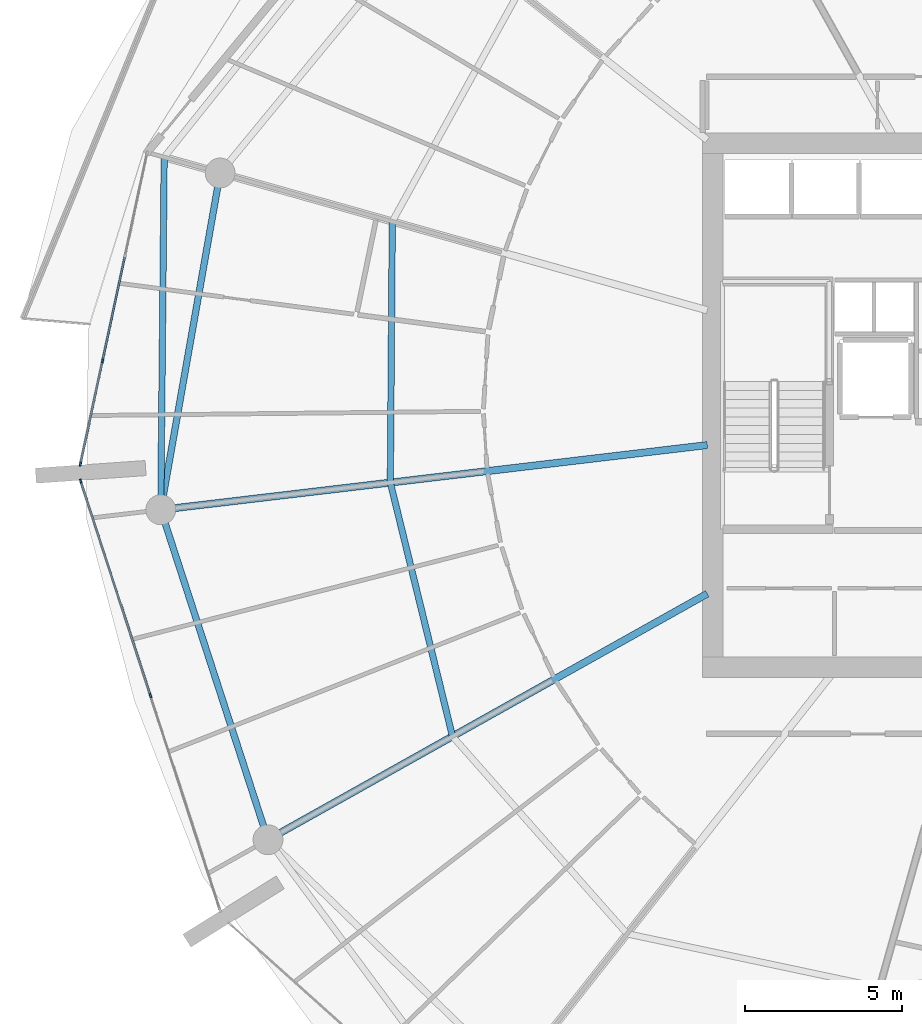
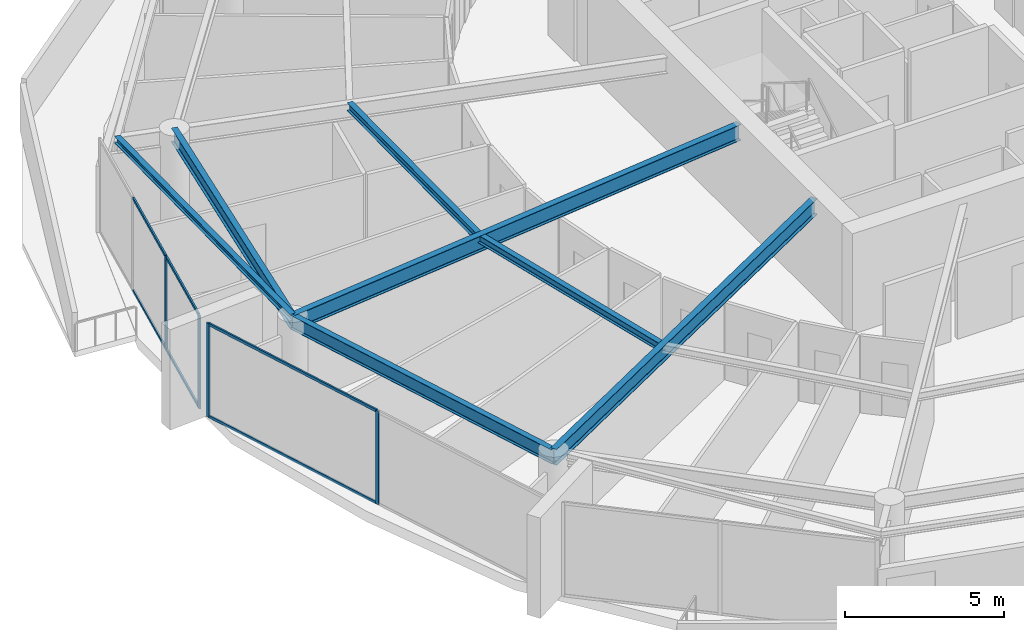
# One storey, part 8 of 30: 10 members, 7 beams, 2 elements without a shape of their own.
"""IFC4 building model written with IfcOpenShell, lengths in metres."""

from ifc_helpers import new_model, si_unit, direction, frame, origin, origin_2d, place, context, subcontext, project, spatial, rectangle, i_section, extrude, material, layer, layer_set, material_profile, profile_set, type_object, element, aggregate, save


model = new_model("IFC4")

# Units and contexts
model_context = context("Model", 3, precision=1e-05, world=origin(), true_north=direction((0.0, 1.0)))
body_context = subcontext(model_context, "Body", "Model", "MODEL_VIEW")
ifc_project = project(units=[si_unit("LENGTHUNIT", "METRE"), si_unit("AREAUNIT", "SQUARE_METRE"), si_unit("VOLUMEUNIT", "CUBIC_METRE"), si_unit("PLANEANGLEUNIT", "RADIAN"), si_unit("MASSUNIT", "GRAM", prefix="KILO")], contexts=[model_context])

# Site, building, storey
site_placement = place(None, origin())
site = spatial("IfcSite", under=ifc_project, at=site_placement, CompositionType="ELEMENT")
building_placement = place(site_placement, origin())
building = spatial("IfcBuilding", under=site, at=building_placement, Name="Kazma Halo Residences", CompositionType="ELEMENT")
storey_placement = place(building_placement, frame((0.0, 0.0, 236.699951171875)))
storey = spatial("IfcBuildingStorey", under=building, at=storey_placement, Name="L59", CompositionType="ELEMENT", Elevation=236.699951171875)

# Beams
ifc_material_1 = material(Name="Steel S355", Category="steel")
ifc_material_profile_1 = material_profile(ifc_material_1, i_section(OverallWidth=0.201904296875, OverallDepth=0.2470703125, WebThickness=0.00732421875, FlangeThickness=0.010986328125, FilletRadius=0.011962890625, at=origin_2d()), Name="W250x49.1")
ifc_profile_set_1 = profile_set([ifc_material_profile_1], Name="Steel S355")
beam_type_1 = type_object("IfcBeamType", Name="BM-BAL-CANT", PredefinedType="BEAM", material=ifc_profile_set_1)
beam_1_placement = place(storey_placement, frame((20.028564453125, 49.888916015625, 3.466552734375), z_axis=(-0.009645503464, -0.999953481049, 0.0), x_axis=(0.999953481049, -0.009645503464, 0.0)))
element("IfcBeam", 1, at=beam_1_placement, inside=storey, type_object=beam_type_1, Name="L59 wave-balcony tie beam 07", PredefinedType="BEAM", context=body_context, shape_type="SweptSolid", body=[
    extrude(i_section(OverallWidth=0.201904296875, OverallDepth=0.2470703125, WebThickness=0.00732421875, FlangeThickness=0.010986328125, FilletRadius=0.011962890625, at=origin_2d()), origin(), (0.0, 0.0, 1.0), 11.212890625),
])
ifc_material_profile_2 = material_profile(ifc_material_1, i_section(OverallWidth=0.22802734375, OverallDepth=0.60791015625, WebThickness=0.01123046875, FlangeThickness=0.017333984375, FilletRadius=0.01806640625, at=origin_2d()), Name="W610x113")
ifc_profile_set_2 = profile_set([ifc_material_profile_2], Name="Steel S355")
beam_type_2 = type_object("IfcBeamType", Name="BM-RAD-W610", PredefinedType="BEAM", material=ifc_profile_set_2)
beam_2_placement = place(storey_placement, frame((37.300048828125, 40.733642578125, 3.2861328125), z_axis=(-0.993067702517, -0.117543771495, 0.0), x_axis=(0.117543771495, -0.993067702517, 0.0)))
element("IfcBeam", 2, at=beam_2_placement, inside=storey, type_object=beam_type_2, Name="L59 radial floor beam 08", PredefinedType="BEAM", context=body_context, shape_type="SweptSolid", body=[
    extrude(i_section(OverallWidth=0.22802734375, OverallDepth=0.60791015625, WebThickness=0.01123046875, FlangeThickness=0.017333984375, FilletRadius=0.01806640625, at=origin_2d()), origin(), (0.0, 0.0, 1.0), 17.5009765625),
])
beam_3_placement = place(storey_placement, frame((37.300048828125, 36.0078125, 3.2861328125), z_axis=(-0.872498735757, -0.488616369049, 0.0), x_axis=(0.488616369049, -0.872498735757, 0.0)))
element("IfcBeam", 3, at=beam_3_placement, inside=storey, type_object=beam_type_2, Name="L59 radial floor beam 09", PredefinedType="BEAM", context=body_context, shape_type="SweptSolid", body=[
    extrude(i_section(OverallWidth=0.22802734375, OverallDepth=0.60791015625, WebThickness=0.01123046875, FlangeThickness=0.017333984375, FilletRadius=0.01806640625, at=origin_2d()), origin(), (0.0, 0.0, 1.0), 16.011962890625),
])
ifc_material_profile_3 = material_profile(ifc_material_1, i_section(OverallWidth=0.202880859375, OverallDepth=0.302978515625, WebThickness=0.007568359375, FlangeThickness=0.01318359375, FilletRadius=0.013916015625, at=origin_2d()), Name="W310x60")
ifc_profile_set_3 = profile_set([ifc_material_profile_3], Name="Steel S355")
beam_type_3 = type_object("IfcBeamType", Name="BM-SEC-W310A", PredefinedType="JOIST", material=ifc_profile_set_3)
beam_4_placement = place(storey_placement, frame((27.282470703125, 47.843017578125, 3.4384765625), z_axis=(-0.007527648623, -0.999971666852, 0.0), x_axis=(0.999971666852, -0.007527648623, 0.0)))
element("IfcBeam", 4, at=beam_4_placement, inside=storey, type_object=beam_type_3, Name="L59 circumferential floor joist 07", PredefinedType="JOIST", context=body_context, shape_type="SweptSolid", body=[
    extrude(i_section(OverallWidth=0.202880859375, OverallDepth=0.302978515625, WebThickness=0.007568359375, FlangeThickness=0.01318359375, FilletRadius=0.013916015625, at=origin_2d()), origin(), (0.0, 0.0, 1.0), 8.302734375),
])
beam_5_placement = place(storey_placement, frame((27.219970703125, 39.54052734375, 3.4384765625), z_axis=(0.237963200266, -0.971274171035, 0.0), x_axis=(0.971274171035, 0.237963200266, 0.0)))
element("IfcBeam", 5, at=beam_5_placement, inside=storey, type_object=beam_type_3, Name="L59 circumferential floor joist 08", PredefinedType="JOIST", context=body_context, shape_type="SweptSolid", body=[
    extrude(i_section(OverallWidth=0.202880859375, OverallDepth=0.302978515625, WebThickness=0.007568359375, FlangeThickness=0.01318359375, FilletRadius=0.013916015625, at=origin_2d()), origin(), (0.0, 0.0, 1.0), 8.309326171875),
])
ifc_material_profile_4 = material_profile(ifc_material_1, i_section(OverallWidth=0.208984375, OverallDepth=0.532958984375, WebThickness=0.01025390625, FlangeThickness=0.015625, FilletRadius=0.01611328125, at=origin_2d()), Name="W530x92")
ifc_profile_set_4 = profile_set([ifc_material_profile_4], Name="Steel S355")
beam_type_4 = type_object("IfcBeamType", Name="BM-SPN-W530", PredefinedType="BEAM", material=ifc_profile_set_4)
beam_6_placement = place(storey_placement, frame((21.80908203125, 49.38671875, 3.323486328125), z_axis=(-0.173663672311, -0.984805020763, 0.0), x_axis=(0.984805020763, -0.173663672311, 0.0)))
element("IfcBeam", 6, at=beam_6_placement, inside=storey, type_object=beam_type_4, Name="L59 perimeter ring beam 07", PredefinedType="BEAM", context=body_context, shape_type="SweptSolid", body=[
    extrude(i_section(OverallWidth=0.208984375, OverallDepth=0.532958984375, WebThickness=0.01025390625, FlangeThickness=0.015625, FilletRadius=0.01611328125, at=origin_2d()), origin(), (0.0, 0.0, 1.0), 10.87548828125),
])
beam_7_placement = place(storey_placement, frame((19.92041015625, 38.676513671875, 3.323486328125), z_axis=(0.309015517474, -0.951056996168, 0.0), x_axis=(0.951056996168, 0.309015517474, 0.0)))
element("IfcBeam", 7, at=beam_7_placement, inside=storey, type_object=beam_type_4, Name="L59 perimeter ring beam 08", PredefinedType="BEAM", context=body_context, shape_type="SweptSolid", body=[
    extrude(i_section(OverallWidth=0.208984375, OverallDepth=0.532958984375, WebThickness=0.01025390625, FlangeThickness=0.015625, FilletRadius=0.01611328125, at=origin_2d()), origin(), (0.0, 0.0, 1.0), 11.032470703125),
])

# Curtain wall, members
ifc_material_2 = material(Name="Aluminium AW-6063 T6 and Triple-Silver Low-E Glass", Category="aluminium")
ifc_layer = layer(ifc_material_2, 0.139892578125)
ifc_layer_set = layer_set([ifc_layer], Name="Aluminium AW-6063 T6 and Triple-Silver Low-E Glass")
curtain_wall_type = type_object("IfcCurtainWallType", Name="CW-SYS-5", PredefinedType="NOTDEFINED", material=ifc_layer_set)
curtain_wall_1_placement = place(storey_placement, origin())
curtain_wall_1 = element("IfcCurtainWall", 8, at=curtain_wall_1_placement, inside=storey, type_object=curtain_wall_type, Name="L59 unitised curtain wall B07", PredefinedType="NOTDEFINED")
ifc_material_3 = material(Name="Aluminium AW-6063 T6", Category="aluminium")
ifc_material_profile_5 = material_profile(ifc_material_3, rectangle(XDim=0.06005859375, YDim=0.139892578125, at=origin_2d()), Name="CWM-60x140")
ifc_profile_set_5 = profile_set([ifc_material_profile_5], Name="Aluminium AW-6063 T6")
member_type_1 = type_object("IfcMemberType", Name="CW-SYS-5-MUL", PredefinedType="MULLION", material=ifc_profile_set_5)
member_1_placement = place(storey_placement, frame((18.0703125, 43.412841796875, 0.0), z_axis=(0.0, 0.0, 1.0), x_axis=(0.97777491373, -0.209657382603, 0.0)))
member_1 = element("IfcMember", 9, at=member_1_placement, type_object=member_type_1, Name="CWS-5 mullion 3", PredefinedType="MULLION", context=body_context, shape_type="SweptSolid", body=[
    extrude(rectangle(XDim=0.06005859375, YDim=0.139892578125, at=origin_2d()), origin(), (0.0, 0.0, 1.0), 3.590087890625),
])
member_2_placement = place(storey_placement, frame((17.3662109375, 40.12841796875, 0.0), z_axis=(0.0, 0.0, 1.0), x_axis=(0.97777491373, -0.209657382603, 0.0)))
member_2 = element("IfcMember", 10, at=member_2_placement, type_object=member_type_1, Name="CWS-5 mullion 4", PredefinedType="MULLION", context=body_context, shape_type="SweptSolid", body=[
    extrude(rectangle(XDim=0.06005859375, YDim=0.139892578125, at=origin_2d()), origin(), (0.0, 0.0, 1.0), 3.590087890625),
])

curtain_wall_2_placement = place(storey_placement, origin())
curtain_wall_2 = element("IfcCurtainWall", 11, at=curtain_wall_2_placement, inside=storey, type_object=curtain_wall_type, Name="L59 unitised curtain wall B08", PredefinedType="NOTDEFINED")
member_3_placement = place(storey_placement, frame((17.377197265625, 39.587646484375, 0.0), z_axis=(0.0, 0.0, 1.0), x_axis=(0.951058464359, 0.309010998786, 0.0)))
member_3 = element("IfcMember", 12, at=member_3_placement, type_object=member_type_1, Name="CWS-5 mullion 1", PredefinedType="MULLION", context=body_context, shape_type="SweptSolid", body=[
    extrude(rectangle(XDim=0.06005859375, YDim=0.139892578125, at=origin_2d()), origin(), (0.0, 0.0, 1.0), 3.590087890625),
])
member_4_placement = place(storey_placement, frame((19.59228515625, 32.769775390625, 0.0), z_axis=(0.0, 0.0, 1.0), x_axis=(0.951058464359, 0.309010998786, 0.0)))
member_4 = element("IfcMember", 13, at=member_4_placement, type_object=member_type_1, Name="CWS-5 mullion 2", PredefinedType="MULLION", context=body_context, shape_type="SweptSolid", body=[
    extrude(rectangle(XDim=0.06005859375, YDim=0.139892578125, at=origin_2d()), origin(), (0.0, 0.0, 1.0), 3.590087890625),
])

# Member
ifc_material_profile_6 = material_profile(ifc_material_3, rectangle(XDim=0.06005859375, YDim=0.10498046875, at=origin_2d()), Name="CWT-60x105")
ifc_profile_set_6 = profile_set([ifc_material_profile_6], Name="Aluminium AW-6063 T6")
member_type_2 = type_object("IfcMemberType", Name="CW-SYS-5-TRN", PredefinedType="USERDEFINED", material=ifc_profile_set_6)
member_5_placement = place(storey_placement, frame((18.774658203125, 46.697265625, 0.030029296875), z_axis=(-0.209664309019, -0.977773428522, 0.0), x_axis=(0.977773428522, -0.209664309019, 0.0)))
member_5 = element("IfcMember", 14, at=member_5_placement, type_object=member_type_2, Name="CWS-5 transom 2.1", ObjectType="TRANSOM", PredefinedType="USERDEFINED", context=body_context, shape_type="SweptSolid", body=[
    extrude(rectangle(XDim=0.06005859375, YDim=0.10498046875, at=origin_2d()), origin(), (0.0, 0.0, 1.0), 3.3291015625),
])

member_6_placement = place(storey_placement, frame((18.774658203125, 46.697265625, 3.56005859375), z_axis=(-0.209664309019, -0.977773428522, 0.0), x_axis=(0.977773428522, -0.209664309019, 0.0)))
member_6 = element("IfcMember", 15, at=member_6_placement, type_object=member_type_2, Name="CWS-5 transom 2.2", ObjectType="TRANSOM", PredefinedType="USERDEFINED", context=body_context, shape_type="SweptSolid", body=[
    extrude(rectangle(XDim=0.06005859375, YDim=0.10498046875, at=origin_2d()), origin(), (0.0, 0.0, 1.0), 3.3291015625),
])

member_7_placement = place(storey_placement, frame((18.064208984375, 43.383544921875, 0.030029296875), z_axis=(-0.209645323239, -0.977777499457, 0.0), x_axis=(0.977777499457, -0.209645323239, 0.0)))
member_7 = element("IfcMember", 16, at=member_7_placement, type_object=member_type_2, Name="CWS-5 transom 3.1", ObjectType="TRANSOM", PredefinedType="USERDEFINED", context=body_context, shape_type="SweptSolid", body=[
    extrude(rectangle(XDim=0.06005859375, YDim=0.10498046875, at=origin_2d()), origin(), (0.0, 0.0, 1.0), 3.299072265625),
])

member_8_placement = place(storey_placement, frame((18.064208984375, 43.383544921875, 3.56005859375), z_axis=(-0.209645323239, -0.977777499457, 0.0), x_axis=(0.977777499457, -0.209645323239, 0.0)))
member_8 = element("IfcMember", 17, at=member_8_placement, type_object=member_type_2, Name="CWS-5 transom 3.2", ObjectType="TRANSOM", PredefinedType="USERDEFINED", context=body_context, shape_type="SweptSolid", body=[
    extrude(rectangle(XDim=0.06005859375, YDim=0.10498046875, at=origin_2d()), origin(), (0.0, 0.0, 1.0), 3.299072265625),
])

aggregate(curtain_wall_1, [member_1, member_2, member_5, member_6, member_7, member_8])

member_9_placement = place(storey_placement, frame((17.386474609375, 39.55908203125, 0.030029296875), z_axis=(0.308995987448, -0.951063341603, 0.0), x_axis=(0.951063341603, 0.308995987448, 0.0)))
member_9 = element("IfcMember", 18, at=member_9_placement, type_object=member_type_2, Name="CWS-5 transom 1.1", ObjectType="TRANSOM", PredefinedType="USERDEFINED", context=body_context, shape_type="SweptSolid", body=[
    extrude(rectangle(XDim=0.06005859375, YDim=0.10498046875, at=origin_2d()), origin(), (0.0, 0.0, 1.0), 7.108642578125),
])

member_10_placement = place(storey_placement, frame((17.386474609375, 39.55908203125, 3.56005859375), z_axis=(0.308995987448, -0.951063341603, 0.0), x_axis=(0.951063341603, 0.308995987448, 0.0)))
member_10 = element("IfcMember", 19, at=member_10_placement, type_object=member_type_2, Name="CWS-5 transom 1.2", ObjectType="TRANSOM", PredefinedType="USERDEFINED", context=body_context, shape_type="SweptSolid", body=[
    extrude(rectangle(XDim=0.06005859375, YDim=0.10498046875, at=origin_2d()), origin(), (0.0, 0.0, 1.0), 7.108642578125),
])

aggregate(curtain_wall_2, [member_3, member_4, member_9, member_10])

save(model, "model.ifc")
